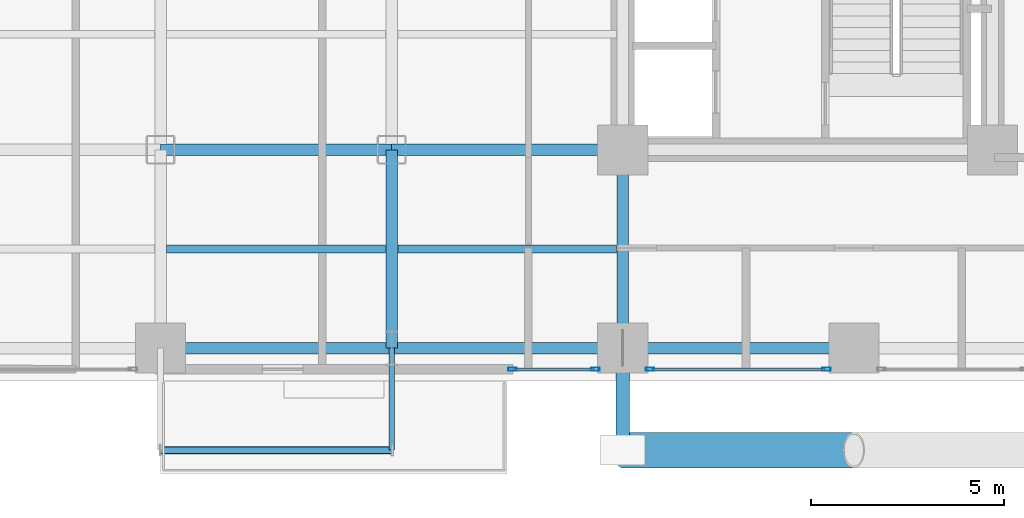
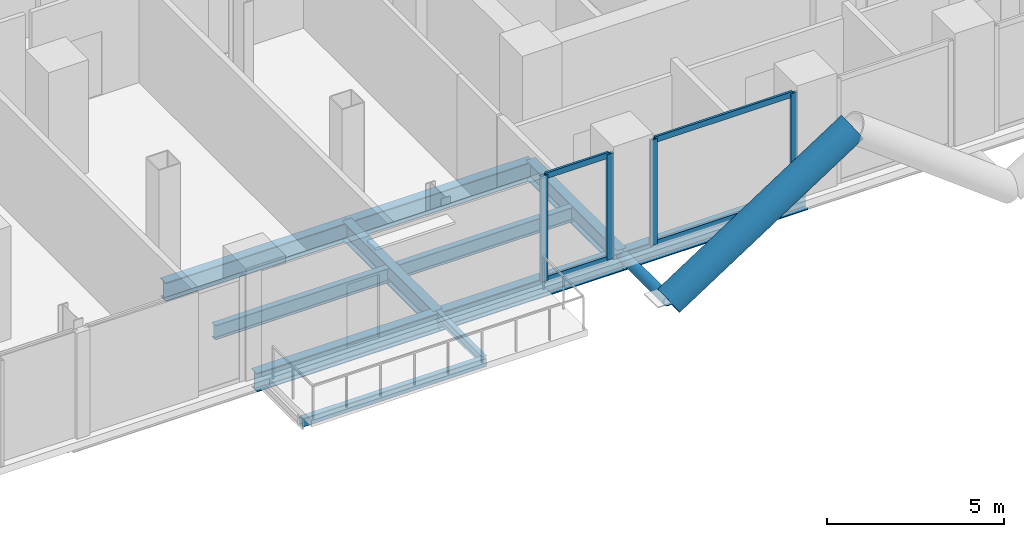
# One storey, part 3 of 25: 11 beams, 10 members, 2 elements without a shape of their own.
"""IFC4 building model written with IfcOpenShell, lengths in metres."""

from ifc_helpers import new_model, si_unit, direction, frame, origin, origin_2d, place, context, subcontext, project, spatial, hollow_rectangle, hollow_circle, i_section, extrude, material, layer, layer_set, material_profile, profile_set, type_object, element, aggregate, save


model = new_model("IFC4")

# Units and contexts
model_context = context("Model", 3, precision=1e-05, world=origin(), true_north=direction((0.0, 1.0)))
body_context = subcontext(model_context, "Body", "Model", "MODEL_VIEW")
ifc_project = project(units=[si_unit("LENGTHUNIT", "METRE"), si_unit("AREAUNIT", "SQUARE_METRE"), si_unit("VOLUMEUNIT", "CUBIC_METRE"), si_unit("PLANEANGLEUNIT", "RADIAN"), si_unit("MASSUNIT", "GRAM", prefix="KILO"), si_unit("THERMODYNAMICTEMPERATUREUNIT", "KELVIN"), si_unit("POWERUNIT", "WATT")], contexts=[model_context])

# Site, building, storey
site_placement = place(None, origin())
site = spatial("IfcSite", under=ifc_project, at=site_placement, CompositionType="ELEMENT")
building_placement = place(site_placement, origin())
building = spatial("IfcBuilding", under=site, at=building_placement, Name="Svarakhadi Broadcast Tower", CompositionType="ELEMENT")
storey_placement = place(building_placement, frame((0.0, 0.0, 67.5)))
storey = spatial("IfcBuildingStorey", under=building, at=storey_placement, Name="L15", CompositionType="ELEMENT", Elevation=67.5)

# Beams
ifc_material_1 = material(Name="Steel S355J2 (IS 2062 E350C)", Category="steel")
ifc_material_profile_1 = material_profile(ifc_material_1, i_section(OverallWidth=0.199951171875, OverallDepth=0.5, WebThickness=0.01025390625, FlangeThickness=0.01611328125, FilletRadius=0.02099609375, at=origin_2d()), Name="NPB 500x200x91")
ifc_profile_set_1 = profile_set([ifc_material_profile_1], Name="Steel S355J2 (IS 2062 E350C)")
beam_type_1 = type_object("IfcBeamType", Name="Beam_NPB500", PredefinedType="BEAM", material=ifc_profile_set_1)
for number, where, z_axis, x_axis, name in (
    (1, (12.159912109375, 3.425048828125, -0.5), (1.0, 0.0, 0.0), (0.0, 1.0, 0.0), "L15 Secondary Composite Beam SB013"),
    (2, (18.159912109375, 3.425048828125, -0.5), (1.0, 0.0, 0.0), (0.0, 1.0, 0.0), "L15 Secondary Composite Beam SB019"),
):
    element("IfcBeam", number, at=place(storey_placement, frame(where, z_axis=z_axis, x_axis=x_axis)), inside=storey, type_object=beam_type_1, Name=name, PredefinedType="BEAM", context=body_context, shape_type="SweptSolid", body=[
        extrude(i_section(OverallWidth=0.199951171875, OverallDepth=0.5, WebThickness=0.01025390625, FlangeThickness=0.01611328125, FilletRadius=0.02099609375, at=origin_2d()), origin(), (0.0, 0.0, 1.0), 5.68017578125),
    ])

# Curtain wall, members
ifc_material_2 = material(Name="Anodised Bronze Aluminium AA 6063-T6", Category="aluminium")
ifc_layer = layer(ifc_material_2, 0.219970703125)
ifc_layer_set = layer_set([ifc_layer], Name="Anodised Bronze Aluminium AA 6063-T6")
curtain_wall_type = type_object("IfcCurtainWallType", Name="CW_Sys_02", PredefinedType="NOTDEFINED", material=ifc_layer_set)
curtain_wall_1_placement = place(storey_placement, origin())
curtain_wall_1 = element("IfcCurtainWall", 3, at=curtain_wall_1_placement, inside=storey, type_object=curtain_wall_type, Name="L15 South Curtain Wall 16 Bay 5", PredefinedType="NOTDEFINED")
ifc_material_profile_2 = material_profile(ifc_material_2, hollow_rectangle(XDim=0.0849609375, YDim=0.219970703125, WallThickness=0.006103515625, at=origin_2d()), Name="ALU MULLION 220x85x6")
ifc_profile_set_2 = profile_set([ifc_material_profile_2], Name="Anodised Bronze Aluminium AA 6063-T6")
member_type_1 = type_object("IfcMemberType", Name="CW_Sys_02_Mul", PredefinedType="MULLION", material=ifc_profile_set_2)
member_1_placement = place(storey_placement, frame((29.28759765625, 0.300048828125, 0.0), z_axis=(0.0, 0.0, 1.0), x_axis=(0.0, -1.0, 0.0)))
member_1 = element("IfcMember", 4, at=member_1_placement, type_object=member_type_1, Name="CW-02 mullion 1", PredefinedType="MULLION", context=body_context, shape_type="SweptSolid", body=[
    extrude(hollow_rectangle(XDim=0.0849609375, YDim=0.219970703125, WallThickness=0.006103515625, at=origin_2d()), origin(), (0.0, 0.0, 1.0), 3.64990234375),
])
member_2_placement = place(storey_placement, frame((24.71240234375, 0.300048828125, 0.0), z_axis=(0.0, 0.0, 1.0), x_axis=(0.0, -1.0, 0.0)))
member_2 = element("IfcMember", 5, at=member_2_placement, type_object=member_type_1, Name="CW-02 mullion 2", PredefinedType="MULLION", context=body_context, shape_type="SweptSolid", body=[
    extrude(hollow_rectangle(XDim=0.0849609375, YDim=0.219970703125, WallThickness=0.006103515625, at=origin_2d()), origin(), (0.0, 0.0, 1.0), 3.64990234375),
])

curtain_wall_2_placement = place(storey_placement, origin())
curtain_wall_2 = element("IfcCurtainWall", 6, at=curtain_wall_2_placement, inside=storey, type_object=curtain_wall_type, Name="L15 South Curtain Wall 16 Bay 6", PredefinedType="NOTDEFINED")
member_3_placement = place(storey_placement, frame((23.28759765625, 0.300048828125, 0.0), z_axis=(0.0, 0.0, 1.0), x_axis=(0.0, -1.0, 0.0)))
member_3 = element("IfcMember", 7, at=member_3_placement, type_object=member_type_1, Name="CW-02 mullion 1", PredefinedType="MULLION", context=body_context, shape_type="SweptSolid", body=[
    extrude(hollow_rectangle(XDim=0.0849609375, YDim=0.219970703125, WallThickness=0.006103515625, at=origin_2d()), origin(), (0.0, 0.0, 1.0), 3.64990234375),
])
member_4_placement = place(storey_placement, frame((21.132568359375, 0.300048828125, 0.0), z_axis=(0.0, 0.0, 1.0), x_axis=(0.0, -1.0, 0.0)))
member_4 = element("IfcMember", 8, at=member_4_placement, type_object=member_type_1, Name="CW-02 mullion 2", PredefinedType="MULLION", context=body_context, shape_type="SweptSolid", body=[
    extrude(hollow_rectangle(XDim=0.0849609375, YDim=0.219970703125, WallThickness=0.006103515625, at=origin_2d()), origin(), (0.0, 0.0, 1.0), 3.64990234375),
])

# Member
ifc_material_profile_3 = material_profile(ifc_material_2, hollow_rectangle(XDim=0.074951171875, YDim=0.199951171875, WallThickness=0.0048828125, at=origin_2d()), Name="ALU TRANSOM 200x75x5")
ifc_profile_set_3 = profile_set([ifc_material_profile_3], Name="Anodised Bronze Aluminium AA 6063-T6")
member_type_2 = type_object("IfcMemberType", Name="CW_Sys_02_Trn", PredefinedType="USERDEFINED", material=ifc_profile_set_3)
member_5_placement = place(storey_placement, frame((29.2451171875, 0.300048828125, 0.03759765625), z_axis=(-1.0, 0.0, 0.0), x_axis=(0.0, -1.0, 0.0)))
member_5 = element("IfcMember", 9, at=member_5_placement, type_object=member_type_2, Name="CW-02 transom 1.1", ObjectType="TRANSOM", PredefinedType="USERDEFINED", context=body_context, shape_type="SweptSolid", body=[
    extrude(hollow_rectangle(XDim=0.074951171875, YDim=0.199951171875, WallThickness=0.0048828125, at=origin_2d()), origin(), (0.0, 0.0, 1.0), 4.490234375),
])

member_6_placement = place(storey_placement, frame((29.2451171875, 0.300048828125, 3.612548828125), z_axis=(-1.0, 0.0, 0.0), x_axis=(0.0, -1.0, 0.0)))
member_6 = element("IfcMember", 10, at=member_6_placement, type_object=member_type_2, Name="CW-02 transom 1.2", ObjectType="TRANSOM", PredefinedType="USERDEFINED", context=body_context, shape_type="SweptSolid", body=[
    extrude(hollow_rectangle(XDim=0.074951171875, YDim=0.199951171875, WallThickness=0.0048828125, at=origin_2d()), origin(), (0.0, 0.0, 1.0), 4.490234375),
])

aggregate(curtain_wall_1, [member_1, member_2, member_5, member_6])

member_7_placement = place(storey_placement, frame((23.2451171875, 0.300048828125, 0.03759765625), z_axis=(-1.0, 0.0, 0.0), x_axis=(0.0, -1.0, 0.0)))
member_7 = element("IfcMember", 11, at=member_7_placement, type_object=member_type_2, Name="CW-02 transom 1.1", ObjectType="TRANSOM", PredefinedType="USERDEFINED", context=body_context, shape_type="SweptSolid", body=[
    extrude(hollow_rectangle(XDim=0.074951171875, YDim=0.199951171875, WallThickness=0.0048828125, at=origin_2d()), origin(), (0.0, 0.0, 1.0), 2.070068359375),
])

member_8_placement = place(storey_placement, frame((23.2451171875, 0.300048828125, 3.612548828125), z_axis=(-1.0, 0.0, 0.0), x_axis=(0.0, -1.0, 0.0)))
member_8 = element("IfcMember", 12, at=member_8_placement, type_object=member_type_2, Name="CW-02 transom 1.2", ObjectType="TRANSOM", PredefinedType="USERDEFINED", context=body_context, shape_type="SweptSolid", body=[
    extrude(hollow_rectangle(XDim=0.074951171875, YDim=0.199951171875, WallThickness=0.0048828125, at=origin_2d()), origin(), (0.0, 0.0, 1.0), 2.070068359375),
])

aggregate(curtain_wall_2, [member_3, member_4, member_7, member_8])

# Members
ifc_material_3 = material(Name="Steel S460ML (IS 2062 E450BR)", Category="steel")
ifc_material_profile_4 = material_profile(ifc_material_3, hollow_circle(Radius=0.45703125, WallThickness=0.044921875, at=origin_2d()), Name="CHS 914x45")
ifc_profile_set_4 = profile_set([ifc_material_profile_4], Name="Steel S460ML (IS 2062 E450BR)")
member_type_3 = type_object("IfcMemberType", Name="Exo_Brace_CHS914", PredefinedType="BRACE", material=ifc_profile_set_4)
member_9_placement = place(storey_placement, frame((24.0, -1.800048828125, -0.427734375), z_axis=(0.838449851971, 0.0, 0.544978757136), x_axis=(0.0, 1.0, 0.0)))
element("IfcMember", 13, at=member_9_placement, inside=storey, type_object=member_type_3, Name="L15 Exposed Bronze Exoskeleton Diagonal S01", PredefinedType="BRACE", context=body_context, shape_type="SweptSolid", body=[
    extrude(hollow_circle(Radius=0.45703125, WallThickness=0.044921875, at=origin_2d()), origin(), (0.0, 0.0, 1.0), 7.156005859375),
])
ifc_material_profile_5 = material_profile(ifc_material_3, hollow_circle(Radius=0.177734375, WallThickness=0.02001953125, at=origin_2d()), Name="CHS 355.6x20")
ifc_profile_set_5 = profile_set([ifc_material_profile_5], Name="Steel S460ML (IS 2062 E450BR)")
member_type_4 = type_object("IfcMemberType", Name="Exo_Radial_Strut_Z1", PredefinedType="STRUT", material=ifc_profile_set_5)
member_10_placement = place(storey_placement, frame((24.0, -1.800048828125, -0.427734375), z_axis=(0.0, 1.0, 0.0), x_axis=(-1.0, 0.0, 0.0)))
element("IfcMember", 14, at=member_10_placement, inside=storey, type_object=member_type_4, Name="L15 Exoskeleton Radial Tie Strut S01", PredefinedType="STRUT", context=body_context, shape_type="SweptSolid", body=[
    extrude(hollow_circle(Radius=0.177734375, WallThickness=0.02001953125, at=origin_2d()), origin(), (0.0, 0.0, 1.0), 2.650146484375),
])

# Beams
ifc_material_profile_6 = material_profile(ifc_material_1, i_section(OverallWidth=0.300048828125, OverallDepth=0.64990234375, WebThickness=0.01611328125, FlangeThickness=0.031005859375, FilletRadius=0.027099609375, at=origin_2d()), Name="WPB 650x300x225")
ifc_profile_set_6 = profile_set([ifc_material_profile_6], Name="Steel S355J2 (IS 2062 E350C)")
beam_type_2 = type_object("IfcBeamType", Name="Girder_WPB650", PredefinedType="USERDEFINED", material=ifc_profile_set_6)
for number, where, z_axis, x_axis, name in (
    (15, (12.0, 0.85009765625, -0.574951171875), (1.0, 0.0, 0.0), (0.0, 1.0, 0.0), "L15 Primary E-W Girder G005"),
    (16, (18.0, 0.85009765625, -0.574951171875), (1.0, 0.0, 0.0), (0.0, 1.0, 0.0), "L15 Primary E-W Girder G006"),
    (17, (24.0, 0.85009765625, -0.574951171875), (1.0, 0.0, 0.0), (0.0, 1.0, 0.0), "L15 Primary E-W Girder G007"),
    (18, (12.0, 6.0, -0.574951171875), (1.0, 0.0, 0.0), (0.0, 1.0, 0.0), "L15 Primary E-W Girder G013"),
    (19, (18.0, 6.0, -0.574951171875), (1.0, 0.0, 0.0), (0.0, 1.0, 0.0), "L15 Primary E-W Girder G014"),
):
    element("IfcBeam", number, at=place(storey_placement, frame(where, z_axis=z_axis, x_axis=x_axis)), inside=storey, type_object=beam_type_2, Name=name, ObjectType="GIRDER", PredefinedType="USERDEFINED", context=body_context, shape_type="SweptSolid", body=[
        extrude(i_section(OverallWidth=0.300048828125, OverallDepth=0.64990234375, WebThickness=0.01611328125, FlangeThickness=0.031005859375, FilletRadius=0.027099609375, at=origin_2d()), origin(), (0.0, 0.0, 1.0), 6.0),
    ])
for number, where, z_axis, x_axis, name in (
    (20, (18.0, 0.85009765625, -0.574951171875), (0.0, 1.0, 0.0), (-1.0, 0.0, 0.0), "L15 Primary N-S Girder G064"),
    (21, (24.0, 0.85009765625, -0.574951171875), (0.0, 1.0, 0.0), (-1.0, 0.0, 0.0), "L15 Primary N-S Girder G071"),
):
    element("IfcBeam", number, at=place(storey_placement, frame(where, z_axis=z_axis, x_axis=x_axis)), inside=storey, type_object=beam_type_2, Name=name, ObjectType="GIRDER", PredefinedType="USERDEFINED", context=body_context, shape_type="SweptSolid", body=[
        extrude(i_section(OverallWidth=0.300048828125, OverallDepth=0.64990234375, WebThickness=0.01611328125, FlangeThickness=0.031005859375, FilletRadius=0.027099609375, at=origin_2d()), origin(), (0.0, 0.0, 1.0), 5.14990234375),
    ])
ifc_material_profile_7 = material_profile(ifc_material_1, i_section(OverallWidth=0.14990234375, OverallDepth=0.300048828125, WebThickness=0.007080078125, FlangeThickness=0.0107421875, FilletRadius=0.014892578125, at=origin_2d()), Name="NPB 300x150x37")
ifc_profile_set_7 = profile_set([ifc_material_profile_7], Name="Steel S355J2 (IS 2062 E350C)")
beam_type_3 = type_object("IfcBeamType", Name="Spandrel_NPB300", PredefinedType="SPANDREL", material=ifc_profile_set_7)
beam_1_placement = place(storey_placement, frame((18.0, 0.85009765625, -0.39990234375), z_axis=(0.0, -1.0, 0.0), x_axis=(1.0, 0.0, 0.0)))
element("IfcBeam", 22, at=beam_1_placement, inside=storey, type_object=beam_type_3, Name="L15 Balcony Cantilever Bracket 1B", PredefinedType="SPANDREL", context=body_context, shape_type="SweptSolid", body=[
    extrude(i_section(OverallWidth=0.14990234375, OverallDepth=0.300048828125, WebThickness=0.007080078125, FlangeThickness=0.0107421875, FilletRadius=0.014892578125, at=origin_2d()), origin(), (0.0, 0.0, 1.0), 2.650146484375),
])
ifc_material_profile_8 = material_profile(ifc_material_3, hollow_rectangle(XDim=0.199951171875, YDim=0.300048828125, WallThickness=0.012451171875, InnerFilletRadius=0.012451171875, OuterFilletRadius=0.02490234375, at=origin_2d()), Name="RHS 300x200x12.5")
ifc_profile_set_8 = profile_set([ifc_material_profile_8], Name="Steel S460ML (IS 2062 E450BR)")
beam_type_4 = type_object("IfcBeamType", Name="Spandrel_RHS300", PredefinedType="SPANDREL", material=ifc_profile_set_8)
beam_2_placement = place(storey_placement, frame((12.0, -1.800048828125, -0.39990234375), z_axis=(1.0, 0.0, 0.0), x_axis=(0.0, 1.0, 0.0)))
element("IfcBeam", 23, at=beam_2_placement, inside=storey, type_object=beam_type_4, Name="L15 Balcony Outer Spandrel 1F", PredefinedType="SPANDREL", context=body_context, shape_type="SweptSolid", body=[
    extrude(hollow_rectangle(XDim=0.199951171875, YDim=0.300048828125, WallThickness=0.012451171875, InnerFilletRadius=0.012451171875, OuterFilletRadius=0.02490234375, at=origin_2d()), origin(), (0.0, 0.0, 1.0), 6.0),
])

save(model, "model.ifc")
